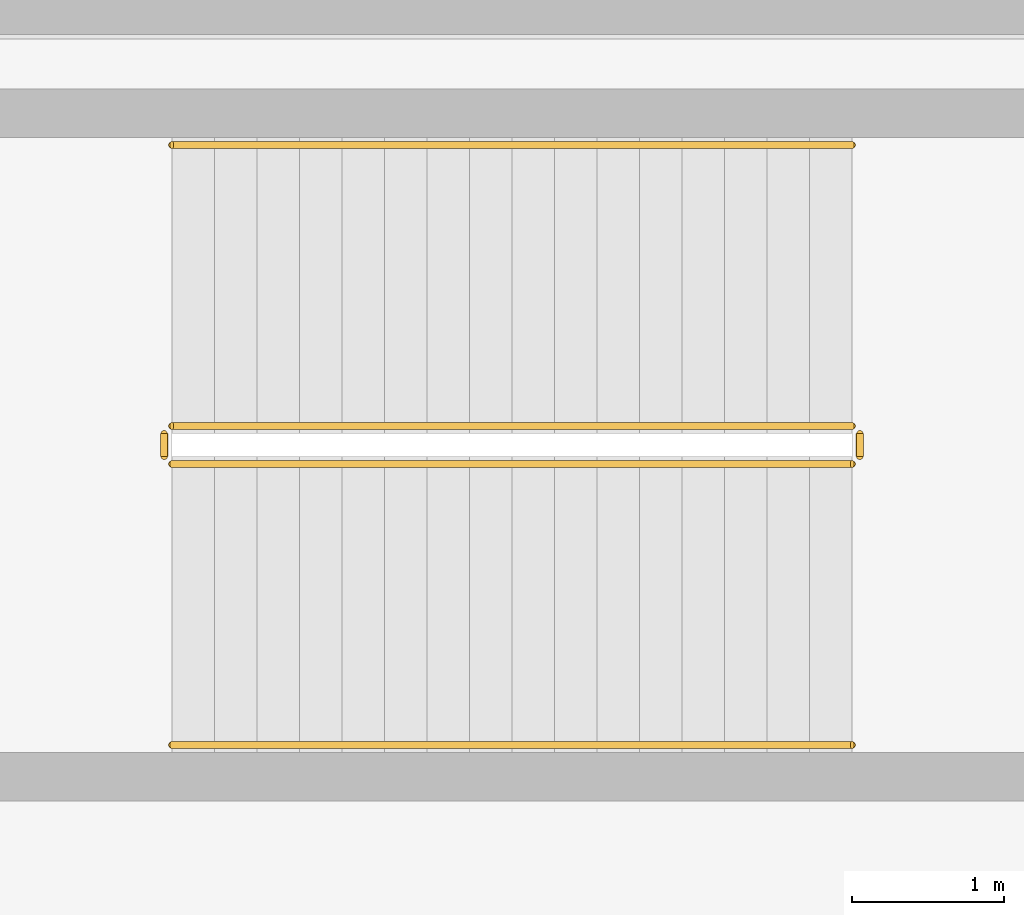
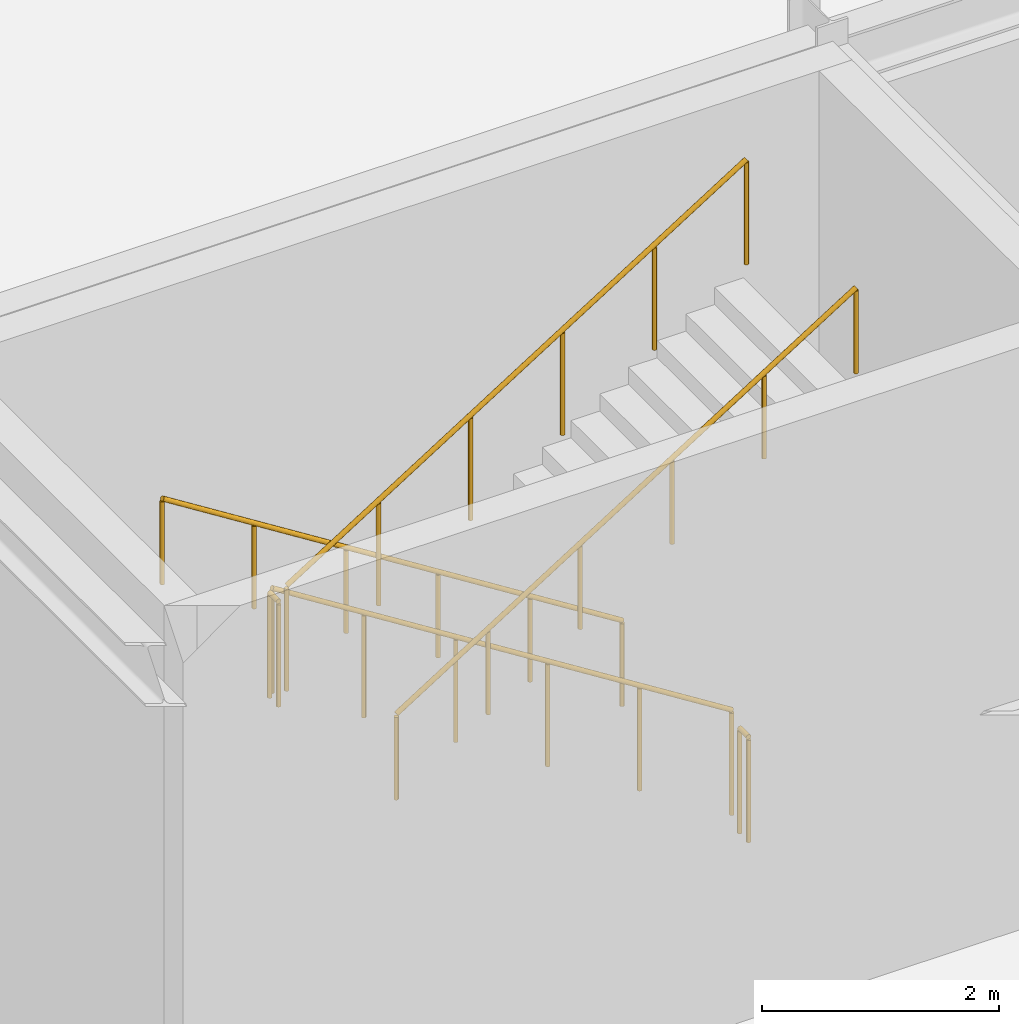
# One storey, part 140 of 146: 6 railings.
"""IFC4 building model written with IfcOpenShell, lengths in metres."""

from ifc_helpers import new_model, si_unit, direction, frame, origin, origin_2d, place, context, subcontext, project, spatial, circle, extrude, material, type_object, element, save


model = new_model("IFC4")

# Units and contexts
model_context = context("Model", 3, precision=1e-05, world=origin(), true_north=direction((0.0, 1.0)))
body_context = subcontext(model_context, "Body", "Model", "MODEL_VIEW")
ifc_project = project(units=[si_unit("LENGTHUNIT", "METRE"), si_unit("AREAUNIT", "SQUARE_METRE"), si_unit("VOLUMEUNIT", "CUBIC_METRE"), si_unit("PLANEANGLEUNIT", "RADIAN"), si_unit("MASSUNIT", "GRAM", prefix="KILO")], contexts=[model_context])

# Site, building, storey
site_placement = place(None, origin())
site = spatial("IfcSite", under=ifc_project, at=site_placement, CompositionType="ELEMENT")
building_placement = place(site_placement, origin())
building = spatial("IfcBuilding", under=site, at=building_placement, Name="Kaldris Quays Convention Centre", CompositionType="ELEMENT")
storey_placement = place(building_placement, origin())
storey = spatial("IfcBuildingStorey", under=building, at=storey_placement, Name="L00", CompositionType="ELEMENT", Elevation=0.0)

# Railings
ifc_material_1 = material(Name="Steel S355J2", Category="steel")
railing_type_1 = type_object("IfcRailingType", Name="INTERIOR GUARDRAIL GR01", PredefinedType="GUARDRAIL", material=ifc_material_1)
railing_1_placement = place(storey_placement, frame((171.60009765625, 34.699951171875, 0.176513671875)))
element("IfcRailing", 1, at=railing_1_placement, inside=storey, type_object=railing_type_1, Name="L00 ST15 Stair Guardrail 1", PredefinedType="GUARDRAIL", context=body_context, shape_type="SweptSolid", body=[
    extrude(circle(Radius=0.02392578125, at=origin_2d()), frame((0.0, 0.0, 1.076171875), z_axis=(-0.845997938375, 0.0, 0.533186166611), x_axis=(0.0, -1.0, 0.0)), (0.0, 0.0, 1.0), 5.29541015625),
    extrude(circle(Radius=0.02099609375, at=origin_2d()), origin(), (0.0, 0.0, 1.0), 1.052001953125),
    extrude(circle(Radius=0.02099609375, at=origin_2d()), frame((-0.89599609375, 0.0, 0.564697265625)), (0.0, 0.0, 1.0), 1.052001953125),
    extrude(circle(Radius=0.02099609375, at=origin_2d()), frame((-1.7919921875, 0.0, 1.12939453125)), (0.0, 0.0, 1.0), 1.052001953125),
    extrude(circle(Radius=0.02099609375, at=origin_2d()), frame((-2.68798828125, 0.0, 1.694091796875)), (0.0, 0.0, 1.0), 1.052001953125),
    extrude(circle(Radius=0.02099609375, at=origin_2d()), frame((-3.583984375, 0.0, 2.2587890625)), (0.0, 0.0, 1.0), 1.052001953125),
    extrude(circle(Radius=0.02099609375, at=origin_2d()), frame((-4.47998046875, 0.0, 2.823486328125)), (0.0, 0.0, 1.0), 1.052001953125),
])
railing_2_placement = place(storey_placement, frame((167.070068359375, 34.64990234375, 3.0)))
element("IfcRailing", 2, at=railing_2_placement, inside=storey, type_object=railing_type_1, Name="L00 ST15 Stair Guardrail 2", PredefinedType="GUARDRAIL", context=body_context, shape_type="SweptSolid", body=[
    extrude(circle(Radius=0.02392578125, at=origin_2d()), frame((0.0, 0.0, 1.076171875), z_axis=(0.0, -1.0, 0.0), x_axis=(1.0, 0.0, 0.0)), (0.0, 0.0, 1.0), 0.14990234375),
    extrude(circle(Radius=0.02099609375, at=origin_2d()), origin(), (0.0, 0.0, 1.0), 1.052001953125),
    extrude(circle(Radius=0.02099609375, at=origin_2d()), frame((0.0, -0.14990234375, 0.0)), (0.0, 0.0, 1.0), 1.052001953125),
])
railing_3_placement = place(storey_placement, frame((167.1201171875, 34.449951171875, 3.176513671875)))
element("IfcRailing", 3, at=railing_3_placement, inside=storey, type_object=railing_type_1, Name="L00 ST15 Stair Guardrail 3", PredefinedType="GUARDRAIL", context=body_context, shape_type="SweptSolid", body=[
    extrude(circle(Radius=0.02392578125, at=origin_2d()), frame((0.0, 0.0, 1.076171875), z_axis=(0.845997938375, 0.0, 0.533186166611), x_axis=(0.0, 1.0, 0.0)), (0.0, 0.0, 1.0), 5.29541015625),
    extrude(circle(Radius=0.02099609375, at=origin_2d()), origin(), (0.0, 0.0, 1.0), 1.052001953125),
    extrude(circle(Radius=0.02099609375, at=origin_2d()), frame((0.89599609375, 0.0, 0.564697265625)), (0.0, 0.0, 1.0), 1.052001953125),
    extrude(circle(Radius=0.02099609375, at=origin_2d()), frame((1.7919921875, 0.0, 1.12939453125)), (0.0, 0.0, 1.0), 1.052001953125),
    extrude(circle(Radius=0.02099609375, at=origin_2d()), frame((2.68798828125, 0.0, 1.694091796875)), (0.0, 0.0, 1.0), 1.052001953125),
    extrude(circle(Radius=0.02099609375, at=origin_2d()), frame((3.583984375, 0.0, 2.2587890625)), (0.0, 0.0, 1.0), 1.052001953125),
    extrude(circle(Radius=0.02099609375, at=origin_2d()), frame((4.47998046875, 0.0, 2.823486328125)), (0.0, 0.0, 1.0), 1.052001953125),
])
railing_4_placement = place(storey_placement, frame((171.64990234375, 34.64990234375, 0.0)))
element("IfcRailing", 4, at=railing_4_placement, inside=storey, type_object=railing_type_1, Name="L00 ST15 Stair Guardrail 4", PredefinedType="GUARDRAIL", context=body_context, shape_type="SweptSolid", body=[
    extrude(circle(Radius=0.02392578125, at=origin_2d()), frame((0.0, 0.0, 1.076171875), z_axis=(0.0, -1.0, 0.0), x_axis=(1.0, 0.0, 0.0)), (0.0, 0.0, 1.0), 0.14990234375),
    extrude(circle(Radius=0.02099609375, at=origin_2d()), origin(), (0.0, 0.0, 1.0), 1.052001953125),
    extrude(circle(Radius=0.02099609375, at=origin_2d()), frame((0.0, -0.14990234375, 0.0)), (0.0, 0.0, 1.0), 1.052001953125),
])
ifc_material_2 = material(Name="Stainless steel 1.4301", Category="steel")
railing_type_2 = type_object("IfcRailingType", Name="STAIR HANDRAIL HR01", PredefinedType="HANDRAIL", material=ifc_material_2)
railing_5_placement = place(storey_placement, frame((171.60009765625, 36.550048828125, 0.176513671875)))
element("IfcRailing", 5, at=railing_5_placement, inside=storey, type_object=railing_type_2, Name="L00 ST15 Flight Handrail 1", PredefinedType="HANDRAIL", context=body_context, shape_type="SweptSolid", body=[
    extrude(circle(Radius=0.02392578125, at=origin_2d()), frame((0.0, 0.0, 0.8759765625), z_axis=(-0.845997938375, 0.0, 0.533186166611), x_axis=(0.0, -1.0, 0.0)), (0.0, 0.0, 1.0), 5.29541015625),
    extrude(circle(Radius=0.02099609375, at=origin_2d()), origin(), (0.0, 0.0, 1.0), 0.851806640625),
    extrude(circle(Radius=0.02099609375, at=origin_2d()), frame((-0.89599609375, 0.0, 0.564697265625)), (0.0, 0.0, 1.0), 0.851806640625),
    extrude(circle(Radius=0.02099609375, at=origin_2d()), frame((-1.7919921875, 0.0, 1.12939453125)), (0.0, 0.0, 1.0), 0.851806640625),
    extrude(circle(Radius=0.02099609375, at=origin_2d()), frame((-2.68798828125, 0.0, 1.694091796875)), (0.0, 0.0, 1.0), 0.851806640625),
    extrude(circle(Radius=0.02099609375, at=origin_2d()), frame((-3.583984375, 0.0, 2.2587890625)), (0.0, 0.0, 1.0), 0.851806640625),
    extrude(circle(Radius=0.02099609375, at=origin_2d()), frame((-4.47998046875, 0.0, 2.823486328125)), (0.0, 0.0, 1.0), 0.851806640625),
])
railing_6_placement = place(storey_placement, frame((167.1201171875, 32.60009765625, 3.176513671875)))
element("IfcRailing", 6, at=railing_6_placement, inside=storey, type_object=railing_type_2, Name="L00 ST15 Flight Handrail 2", PredefinedType="HANDRAIL", context=body_context, shape_type="SweptSolid", body=[
    extrude(circle(Radius=0.02392578125, at=origin_2d()), frame((0.0, 0.0, 0.8759765625), z_axis=(0.845997938375, 0.0, 0.533186166611), x_axis=(0.0, 1.0, 0.0)), (0.0, 0.0, 1.0), 5.29541015625),
    extrude(circle(Radius=0.02099609375, at=origin_2d()), origin(), (0.0, 0.0, 1.0), 0.851806640625),
    extrude(circle(Radius=0.02099609375, at=origin_2d()), frame((0.89599609375, 0.0, 0.564697265625)), (0.0, 0.0, 1.0), 0.851806640625),
    extrude(circle(Radius=0.02099609375, at=origin_2d()), frame((1.7919921875, 0.0, 1.12939453125)), (0.0, 0.0, 1.0), 0.851806640625),
    extrude(circle(Radius=0.02099609375, at=origin_2d()), frame((2.68798828125, 0.0, 1.694091796875)), (0.0, 0.0, 1.0), 0.851806640625),
    extrude(circle(Radius=0.02099609375, at=origin_2d()), frame((3.583984375, 0.0, 2.2587890625)), (0.0, 0.0, 1.0), 0.851806640625),
    extrude(circle(Radius=0.02099609375, at=origin_2d()), frame((4.47998046875, 0.0, 2.823486328125)), (0.0, 0.0, 1.0), 0.851806640625),
])

save(model, "model.ifc")
